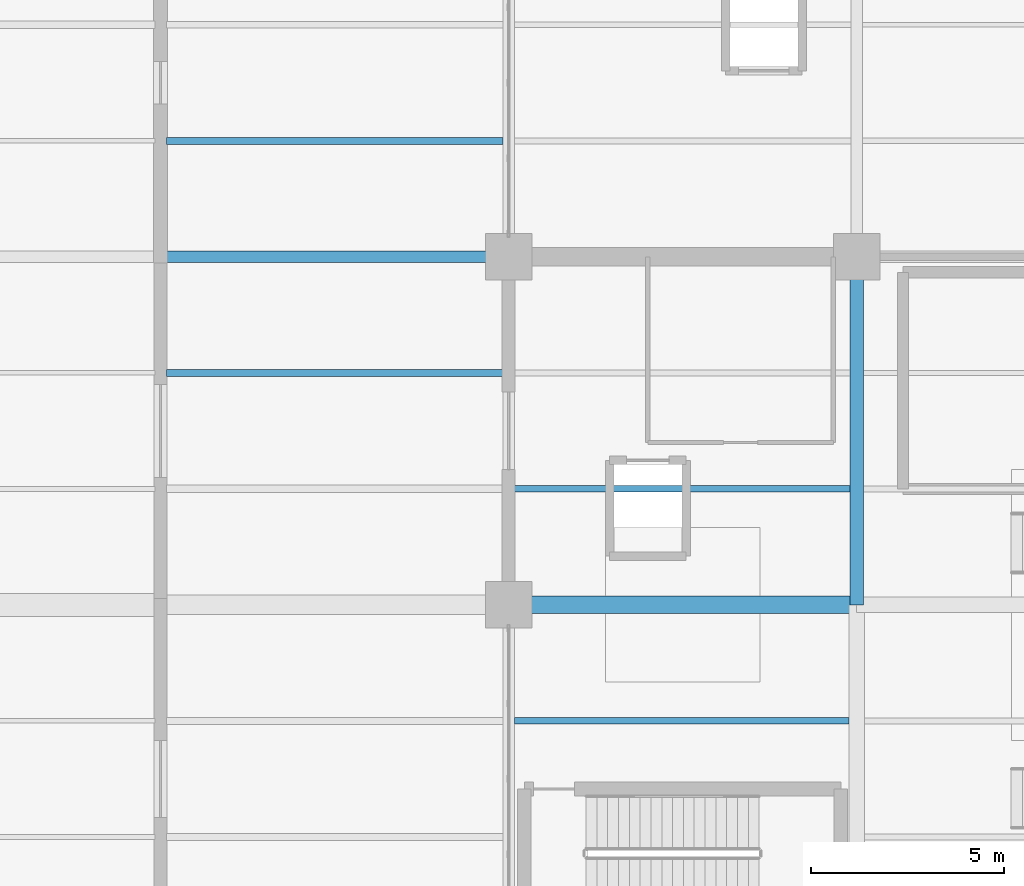
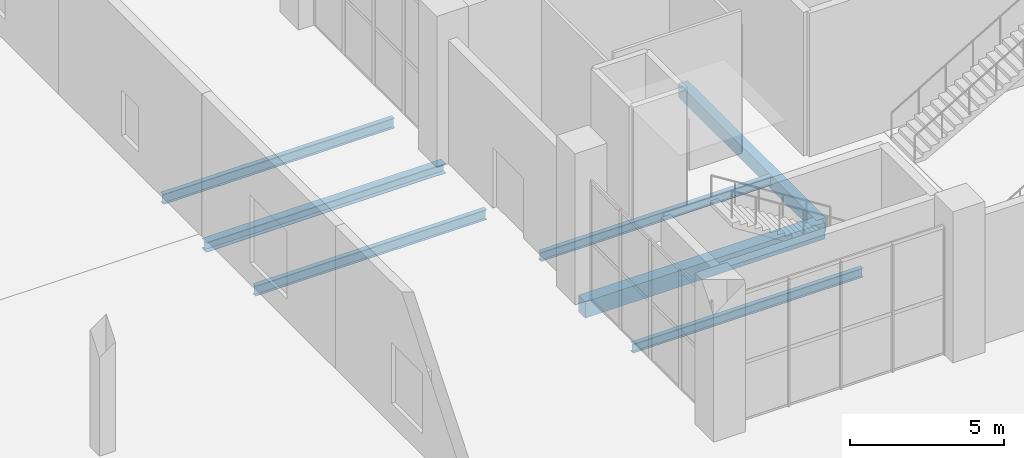
# One storey, part 21 of 144: 7 beams.
"""IFC4 building model written with IfcOpenShell, lengths in metres."""

from ifc_helpers import new_model, si_unit, direction, frame, origin, origin_2d, place, context, subcontext, project, spatial, rectangle, i_section, extrude, material, material_profile, profile_set, type_object, element, save


model = new_model("IFC4")

# Units and contexts
model_context = context("Model", 3, precision=1e-05, world=origin(), true_north=direction((0.0, 1.0)))
body_context = subcontext(model_context, "Body", "Model", "MODEL_VIEW")
ifc_project = project(units=[si_unit("LENGTHUNIT", "METRE"), si_unit("AREAUNIT", "SQUARE_METRE"), si_unit("VOLUMEUNIT", "CUBIC_METRE"), si_unit("PLANEANGLEUNIT", "RADIAN"), si_unit("MASSUNIT", "GRAM", prefix="KILO")], contexts=[model_context])

# Site, building, storey
site_placement = place(None, origin())
site = spatial("IfcSite", under=ifc_project, at=site_placement, CompositionType="ELEMENT")
building_placement = place(site_placement, origin())
building = spatial("IfcBuilding", under=site, at=building_placement, Name="Sundgate Opera House", CompositionType="ELEMENT")
storey_placement = place(building_placement, origin())
storey = spatial("IfcBuildingStorey", under=building, at=storey_placement, Name="L00", CompositionType="ELEMENT", Elevation=0.0)

# Beams
ifc_material_1 = material(Name="Steel S355J2", Category="steel")
ifc_material_profile_1 = material_profile(ifc_material_1, i_section(OverallWidth=0.300048828125, OverallDepth=0.389892578125, WebThickness=0.010986328125, FlangeThickness=0.01904296875, at=origin_2d()), Name="HEA 400")
ifc_profile_set_1 = profile_set([ifc_material_profile_1], Name="Steel S355J2")
beam_type_1 = type_object("IfcBeamType", Name="BM-GR-HEA400", PredefinedType="BEAM", material=ifc_profile_set_1)
beam_1_placement = place(storey_placement, frame((27.0, 60.0, -0.514892578125), z_axis=(1.0, 0.0, 0.0), x_axis=(0.0, 1.0, 0.0)))
element("IfcBeam", 1, at=beam_1_placement, inside=storey, type_object=beam_type_1, Name="L00 Primary E-W Girder B0443", PredefinedType="BEAM", context=body_context, shape_type="SweptSolid", body=[
    extrude(i_section(OverallWidth=0.300048828125, OverallDepth=0.389892578125, WebThickness=0.010986328125, FlangeThickness=0.01904296875, at=origin_2d()), origin(), (0.0, 0.0, 1.0), 9.0),
])
ifc_material_2 = material(Name="Steel S355J2", Category="steel")
ifc_material_profile_2 = material_profile(ifc_material_2, i_section(OverallWidth=0.169921875, OverallDepth=0.360107421875, WebThickness=0.008056640625, FlangeThickness=0.0126953125, at=origin_2d()), Name="IPE 360")
ifc_profile_set_2 = profile_set([ifc_material_profile_2], Name="Steel S355J2")
beam_type_2 = type_object("IfcBeamType", Name="BM-JS-IPE360", PredefinedType="JOIST", material=ifc_profile_set_2)
beam_2_placement = place(storey_placement, frame((36.14990234375, 48.0, -0.5), z_axis=(1.0, 0.0, 0.0), x_axis=(0.0, 1.0, 0.0)))
element("IfcBeam", 2, at=beam_2_placement, inside=storey, type_object=beam_type_2, Name="L00 Secondary Floor Joist B0751", PredefinedType="JOIST", context=body_context, shape_type="SweptSolid", body=[
    extrude(i_section(OverallWidth=0.169921875, OverallDepth=0.360107421875, WebThickness=0.008056640625, FlangeThickness=0.0126953125, at=origin_2d()), origin(), (0.0, 0.0, 1.0), 8.650146484375),
])
beam_3_placement = place(storey_placement, frame((36.14990234375, 54.0, -0.5), z_axis=(1.0, 0.0, 0.0), x_axis=(0.0, 1.0, 0.0)))
element("IfcBeam", 3, at=beam_3_placement, inside=storey, type_object=beam_type_2, Name="L00 Secondary Floor Joist B0779", PredefinedType="JOIST", context=body_context, shape_type="SweptSolid", body=[
    extrude(i_section(OverallWidth=0.169921875, OverallDepth=0.360107421875, WebThickness=0.008056640625, FlangeThickness=0.0126953125, at=origin_2d()), origin(), (0.0, 0.0, 1.0), 8.675048828125),
])
ifc_material_3 = material(Name="Steel S355J2", Category="steel")
ifc_material_profile_3 = material_profile(ifc_material_3, i_section(OverallWidth=0.179931640625, OverallDepth=0.39990234375, WebThickness=0.008544921875, FlangeThickness=0.013427734375, at=origin_2d()), Name="IPE 400")
ifc_profile_set_3 = profile_set([ifc_material_profile_3], Name="Steel S355J2")
beam_type_3 = type_object("IfcBeamType", Name="BM-JS-IPE400", PredefinedType="JOIST", material=ifc_profile_set_3)
for number, where, z_axis, x_axis, name in (
    (4, (27.14990234375, 57.0, -0.52001953125), (1.0, 0.0, 0.0), (0.0, 1.0, 0.0), "L00 Secondary Floor Joist B0778"),
    (5, (27.14990234375, 63.0, -0.52001953125), (1.0, 0.0, 0.0), (0.0, 1.0, 0.0), "L00 Secondary Floor Joist B0806"),
):
    element("IfcBeam", number, at=place(storey_placement, frame(where, z_axis=z_axis, x_axis=x_axis)), inside=storey, type_object=beam_type_3, Name=name, PredefinedType="JOIST", context=body_context, shape_type="SweptSolid", body=[
        extrude(i_section(OverallWidth=0.179931640625, OverallDepth=0.39990234375, WebThickness=0.008544921875, FlangeThickness=0.013427734375, at=origin_2d()), origin(), (0.0, 0.0, 1.0), 8.7001953125),
    ])
ifc_material_4 = material(Name="Concrete C35/45", Category="concrete")
ifc_material_profile_4 = material_profile(ifc_material_4, rectangle(XDim=0.35009765625, YDim=0.550048828125, at=origin_2d()), Name="RC 350x550")
ifc_profile_set_4 = profile_set([ifc_material_profile_4], Name="Concrete C35/45")
beam_type_4 = type_object("IfcBeamType", Name="BM-RC-350x550", PredefinedType="BEAM", material=ifc_profile_set_4)
beam_4_placement = place(storey_placement, frame((45.0, 51.0, -0.594970703125), z_axis=(0.0, 1.0, 0.0), x_axis=(-1.0, 0.0, 0.0)))
element("IfcBeam", 6, at=beam_4_placement, inside=storey, type_object=beam_type_4, Name="L00 Primary N-S Girder B0124", PredefinedType="BEAM", context=body_context, shape_type="SweptSolid", body=[
    extrude(rectangle(XDim=0.35009765625, YDim=0.550048828125, at=origin_2d()), origin(), (0.0, 0.0, 1.0), 9.0),
])
ifc_material_5 = material(Name="Concrete C35/45", Category="concrete")
ifc_material_profile_5 = material_profile(ifc_material_5, rectangle(XDim=0.449951171875, YDim=0.64990234375, at=origin_2d()), Name="RC 450x650")
ifc_profile_set_5 = profile_set([ifc_material_profile_5], Name="Concrete C35/45")
beam_type_5 = type_object("IfcBeamType", Name="BM-RC-450x650", PredefinedType="BEAM", material=ifc_profile_set_5)
beam_5_placement = place(storey_placement, frame((36.0, 51.0, -0.64501953125), z_axis=(1.0, 0.0, 0.0), x_axis=(0.0, 1.0, 0.0)))
element("IfcBeam", 7, at=beam_5_placement, inside=storey, type_object=beam_type_5, Name="L00 Primary E-W Girder B0429", PredefinedType="BEAM", context=body_context, shape_type="SweptSolid", body=[
    extrude(rectangle(XDim=0.449951171875, YDim=0.64990234375, at=origin_2d()), origin(), (0.0, 0.0, 1.0), 9.0),
])

save(model, "model.ifc")
